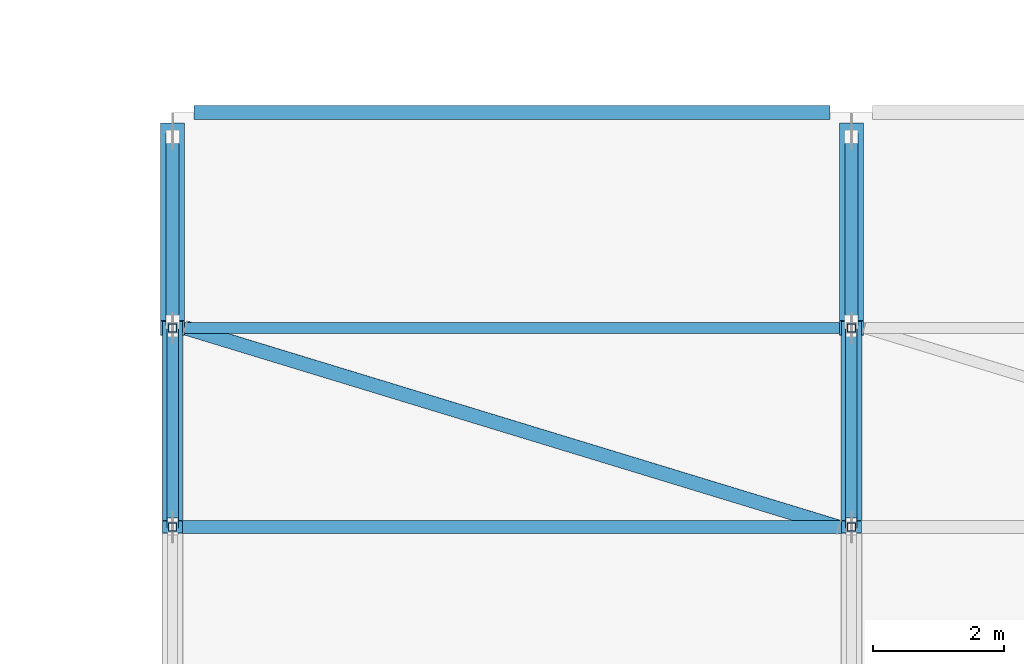
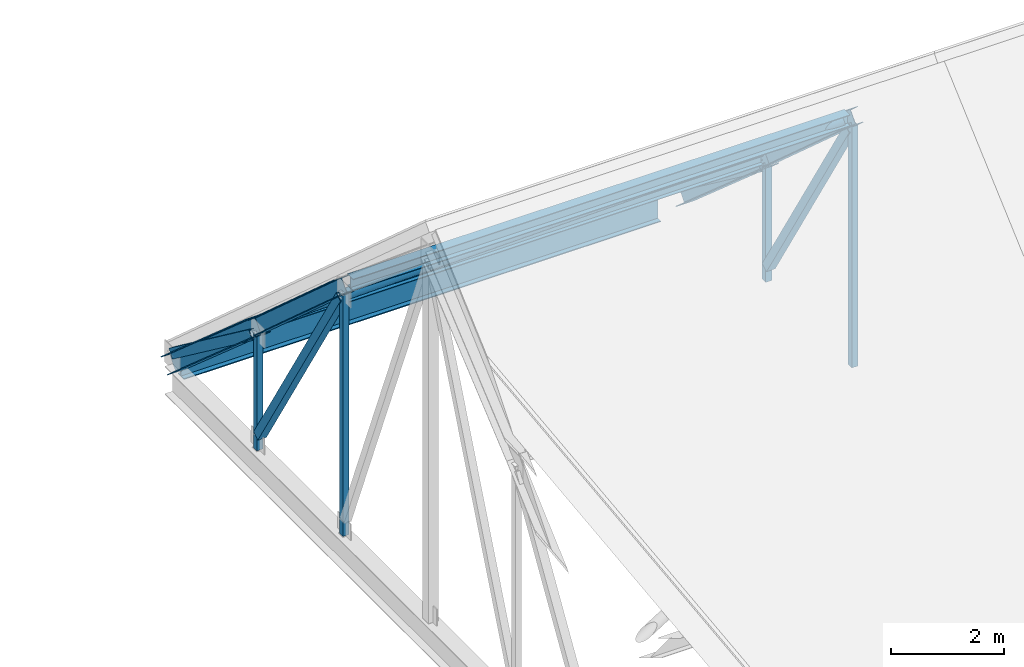
# One storey, part 16 of 86: 13 members, 3 beams.
"""IFC4 building model written with IfcOpenShell, lengths in metres."""

from ifc_helpers import new_model, si_unit, derived_unit, direction, frame, origin, origin_2d, place, context, subcontext, project, spatial, hollow_rectangle, hollow_circle, i_section, extrude, material, material_profile, profile_set, type_object, element, save


model = new_model("IFC4")

# Units and contexts
model_context = context("Model", 3, precision=1e-05, world=origin(), true_north=direction((0.0, 1.0)))
body_context = subcontext(model_context, "Body", "Model", "MODEL_VIEW")
ifc_project = project(units=[si_unit("LENGTHUNIT", "METRE"), si_unit("AREAUNIT", "SQUARE_METRE"), si_unit("VOLUMEUNIT", "CUBIC_METRE"), si_unit("PLANEANGLEUNIT", "RADIAN"), si_unit("MASSUNIT", "GRAM", prefix="KILO"), derived_unit("THERMALTRANSMITTANCEUNIT", [(si_unit("POWERUNIT", "WATT"), 1), (si_unit("LENGTHUNIT", "METRE"), -2), (si_unit("THERMODYNAMICTEMPERATUREUNIT", "KELVIN"), -1)])], contexts=[model_context])

# Site, building, storey
site_placement = place(None, origin())
site = spatial("IfcSite", under=ifc_project, at=site_placement, CompositionType="ELEMENT")
building_placement = place(site_placement, origin())
building = spatial("IfcBuilding", under=site, at=building_placement, Name="Braskholm Square Health Centre", CompositionType="ELEMENT")
storey_placement = place(building_placement, frame((0.0, 0.0, 13.5)))
storey = spatial("IfcBuildingStorey", under=building, at=storey_placement, Name="L04", CompositionType="ELEMENT", Elevation=13.5)

# Member
ifc_material_1 = material(Name="Steel ASTM A500 Grade C", Category="steel")
ifc_material_profile_1 = material_profile(ifc_material_1, hollow_circle(Radius=0.109619140625, WallThickness=0.0087890625, at=origin_2d()), Name="HSS8.625X0.375")
ifc_profile_set_1 = profile_set([ifc_material_profile_1], Name="Steel ASTM A500 Grade C")
member_type_1 = type_object("IfcMemberType", Name="RoofPlanBraceCHS219", PredefinedType="BRACE", material=ifc_profile_set_1)
member_1_placement = place(storey_placement, frame((47.800048828125, 103.699951171875, 2.402099609375), z_axis=(0.925704815743, -0.282344488845, 0.251698596995), x_axis=(0.291736758099, 0.956498648182, 0.0)))
element("IfcMember", 1, at=member_1_placement, inside=storey, type_object=member_type_1, Name="ROOF TRUSS slope brace North Bay 1", PredefinedType="BRACE", context=body_context, shape_type="SweptSolid", body=[
    extrude(hollow_circle(Radius=0.109619140625, WallThickness=0.0087890625, at=origin_2d()), origin(), (0.0, 0.0, 1.0), 10.802490234375),
])

# Beams
ifc_material_2 = material(Name="Steel ASTM A992 Grade 50", Category="steel")
ifc_material_profile_2 = material_profile(ifc_material_2, i_section(OverallWidth=0.201904296875, OverallDepth=0.2470703125, WebThickness=0.00732421875, FlangeThickness=0.010986328125, at=origin_2d()), Name="W10X33")
ifc_profile_set_2 = profile_set([ifc_material_profile_2], Name="Steel ASTM A992 Grade 50")
beam_type_1 = type_object("IfcBeamType", Name="RoofPurlinJoistW10X33", PredefinedType="JOIST", material=ifc_profile_set_2)
beam_1_placement = place(storey_placement, frame((47.719970703125, 100.64990234375, 5.12109375), z_axis=(1.0, 0.0, 0.0), x_axis=(0.0, 1.0, 0.0)))
element("IfcBeam", 2, at=beam_1_placement, inside=storey, type_object=beam_type_1, Name="ROOF TRUSS purlin joist 004", PredefinedType="JOIST", context=body_context, shape_type="SweptSolid", body=[
    extrude(i_section(OverallWidth=0.201904296875, OverallDepth=0.2470703125, WebThickness=0.00732421875, FlangeThickness=0.010986328125, at=origin_2d()), origin(), (0.0, 0.0, 1.0), 10.159912109375),
])
ifc_material_profile_3 = material_profile(ifc_material_2, i_section(OverallWidth=0.1650390625, OverallDepth=0.200927734375, WebThickness=0.006103515625, FlangeThickness=0.01025390625, at=origin_2d()), Name="W8X24")
ifc_profile_set_3 = profile_set([ifc_material_profile_3], Name="Steel ASTM A992 Grade 50")
beam_type_2 = type_object("IfcBeamType", Name="RoofPurlinJoistW8X24", PredefinedType="JOIST", material=ifc_profile_set_3)
beam_2_placement = place(storey_placement, frame((47.719970703125, 103.699951171875, 2.402099609375), z_axis=(1.0, 0.0, 0.0), x_axis=(0.0, 1.0, 0.0)))
element("IfcBeam", 3, at=beam_2_placement, inside=storey, type_object=beam_type_2, Name="ROOF TRUSS purlin joist 005", PredefinedType="JOIST", context=body_context, shape_type="SweptSolid", body=[
    extrude(i_section(OverallWidth=0.1650390625, OverallDepth=0.200927734375, WebThickness=0.006103515625, FlangeThickness=0.01025390625, at=origin_2d()), origin(), (0.0, 0.0, 1.0), 10.159912109375),
])
ifc_material_profile_4 = material_profile(ifc_material_2, i_section(OverallWidth=0.2119140625, OverallDepth=0.5439453125, WebThickness=0.01318359375, FlangeThickness=0.021240234375, at=origin_2d()), Name="W21X83")
ifc_profile_set_4 = profile_set([ifc_material_profile_4], Name="Steel ASTM A992 Grade 50")
beam_type_3 = type_object("IfcBeamType", Name="SteelGirderEaveW21X83", PredefinedType="BEAM", material=ifc_profile_set_4)
beam_3_placement = place(storey_placement, frame((47.925048828125, 107.0, -0.572021484375), z_axis=(1.0, 0.0, 0.0), x_axis=(0.0, 1.0, 0.0)))
element("IfcBeam", 4, at=beam_3_placement, inside=storey, type_object=beam_type_3, Name="Beam 8-9/R L04", PredefinedType="BEAM", context=body_context, shape_type="SweptSolid", body=[
    extrude(i_section(OverallWidth=0.2119140625, OverallDepth=0.5439453125, WebThickness=0.01318359375, FlangeThickness=0.021240234375, at=origin_2d()), origin(), (0.0, 0.0, 1.0), 9.75),
])

# Members
ifc_material_profile_5 = material_profile(ifc_material_2, i_section(OverallWidth=0.304931640625, OverallDepth=0.306884765625, WebThickness=0.010009765625, FlangeThickness=0.015380859375, at=origin_2d()), Name="W12X65")
ifc_profile_set_5 = profile_set([ifc_material_profile_5], Name="Steel ASTM A992 Grade 50")
member_type_2 = type_object("IfcMemberType", Name="TrussHipChordW12X65", PredefinedType="CHORD", material=ifc_profile_set_5)
for number, where, z_axis, x_axis, name in (
    (5, (47.60009765625, 100.64990234375, 5.101318359375), (0.0, 0.746426169494, -0.665468236278), (-1.0, 0.0, 0.0), "ROOF TRUSS top chord TR-01-5"),
    (6, (58.0, 100.64990234375, 5.101318359375), (0.0, 0.746426169494, -0.665468236278), (-1.0, 0.0, 0.0), "ROOF TRUSS top chord TR-02-5"),
):
    element("IfcMember", number, at=place(storey_placement, frame(where, z_axis=z_axis, x_axis=x_axis)), inside=storey, type_object=member_type_2, Name=name, PredefinedType="CHORD", context=body_context, shape_type="SweptSolid", body=[
        extrude(i_section(OverallWidth=0.304931640625, OverallDepth=0.306884765625, WebThickness=0.010009765625, FlangeThickness=0.015380859375, at=origin_2d()), origin(), (0.0, 0.0, 1.0), 4.086181640625),
    ])
ifc_material_profile_6 = material_profile(ifc_material_1, hollow_rectangle(XDim=0.177734375, YDim=0.177734375, WallThickness=0.0087890625, at=origin_2d()), Name="HSS7X7X3/8")
ifc_profile_set_6 = profile_set([ifc_material_profile_6], Name="Steel ASTM A500 Grade C")
member_type_3 = type_object("IfcMemberType", Name="TrussInnerDiagHSS7X7", PredefinedType="BRACE", material=ifc_profile_set_6)
for number, where, z_axis, x_axis, name in (
    (7, (47.60009765625, 103.636962890625, 0.06201171875), (0.0, -0.522065213128, 0.852905571117), (1.0, 0.0, 0.0), "ROOF TRUSS diagonal web TR-01-D5"),
    (8, (58.0, 103.636962890625, 0.06201171875), (0.0, -0.522065213128, 0.852905571117), (1.0, 0.0, 0.0), "ROOF TRUSS diagonal web TR-02-D5"),
):
    element("IfcMember", number, at=place(storey_placement, frame(where, z_axis=z_axis, x_axis=x_axis)), inside=storey, type_object=member_type_3, Name=name, PredefinedType="BRACE", context=body_context, shape_type="SweptSolid", body=[
        extrude(hollow_rectangle(XDim=0.177734375, YDim=0.177734375, WallThickness=0.0087890625, at=origin_2d()), origin(), (0.0, 0.0, 1.0), 5.60107421875),
    ])
ifc_material_profile_7 = material_profile(ifc_material_1, hollow_rectangle(XDim=0.203125, YDim=0.203125, WallThickness=0.01171875, at=origin_2d()), Name="HSS8X8X1/2")
ifc_profile_set_7 = profile_set([ifc_material_profile_7], Name="Steel ASTM A500 Grade C")
member_type_4 = type_object("IfcMemberType", Name="TrussOuterDiagHSS8X8X12", PredefinedType="BRACE", material=ifc_profile_set_7)
for number, where, z_axis, x_axis, name in (
    (9, (47.60009765625, 106.6240234375, 0.031982421875), (0.0, -0.800430964811, 0.599424949908), (1.0, 0.0, 0.0), "ROOF TRUSS diagonal web TR-01-D6"),
    (10, (58.0, 106.6240234375, 0.031982421875), (0.0, -0.800430964811, 0.599424949908), (1.0, 0.0, 0.0), "ROOF TRUSS diagonal web TR-02-D6"),
):
    element("IfcMember", number, at=place(storey_placement, frame(where, z_axis=z_axis, x_axis=x_axis)), inside=storey, type_object=member_type_4, Name=name, PredefinedType="BRACE", context=body_context, shape_type="SweptSolid", body=[
        extrude(hollow_rectangle(XDim=0.203125, YDim=0.203125, WallThickness=0.01171875, at=origin_2d()), origin(), (0.0, 0.0, 1.0), 3.533203125),
    ])
ifc_material_profile_8 = material_profile(ifc_material_2, i_section(OverallWidth=0.368896484375, OverallDepth=0.35595703125, WebThickness=0.01123046875, FlangeThickness=0.01806640625, at=origin_2d()), Name="W14X90")
ifc_profile_set_8 = profile_set([ifc_material_profile_8], Name="Steel ASTM A992 Grade 50")
member_type_5 = type_object("IfcMemberType", Name="TrussTopChordW14X90", PredefinedType="CHORD", material=ifc_profile_set_8)
for number, where, z_axis, x_axis, name in (
    (11, (47.60009765625, 103.699951171875, 2.382080078125), (0.0, 0.752629458895, -0.658444301064), (-1.0, 0.0, 0.0), "ROOF TRUSS top chord TR-01-6"),
    (12, (58.0, 103.699951171875, 2.382080078125), (0.0, 0.752629458895, -0.658444301064), (-1.0, 0.0, 0.0), "ROOF TRUSS top chord TR-02-6"),
):
    element("IfcMember", number, at=place(storey_placement, frame(where, z_axis=z_axis, x_axis=x_axis)), inside=storey, type_object=member_type_5, Name=name, PredefinedType="CHORD", context=body_context, shape_type="SweptSolid", body=[
        extrude(i_section(OverallWidth=0.368896484375, OverallDepth=0.35595703125, WebThickness=0.01123046875, FlangeThickness=0.01806640625, at=origin_2d()), origin(), (0.0, 0.0, 1.0), 4.0126953125),
    ])
ifc_material_profile_9 = material_profile(ifc_material_1, hollow_rectangle(XDim=0.126953125, YDim=0.126953125, WallThickness=0.00732421875, at=origin_2d()), Name="HSS5X5X5/16")
ifc_profile_set_9 = profile_set([ifc_material_profile_9], Name="Steel ASTM A500 Grade C")
member_type_6 = type_object("IfcMemberType", Name="TrussVerticalStrutHSS5X5", PredefinedType="STRUT", material=ifc_profile_set_9)
member_2_placement = place(storey_placement, frame((47.60009765625, 100.64990234375, -0.27001953125), z_axis=(0.0, 0.0, 1.0), x_axis=(1.0, 0.0, 0.0)))
element("IfcMember", 13, at=member_2_placement, inside=storey, type_object=member_type_6, Name="ROOF TRUSS vertical strut TR-01-V4", PredefinedType="STRUT", context=body_context, shape_type="SweptSolid", body=[
    extrude(hollow_rectangle(XDim=0.126953125, YDim=0.126953125, WallThickness=0.00732421875, at=origin_2d()), origin(), (0.0, 0.0, 1.0), 5.21142578125),
])
member_3_placement = place(storey_placement, frame((47.60009765625, 103.699951171875, -0.27001953125), z_axis=(0.0, 0.0, 1.0), x_axis=(1.0, 0.0, 0.0)))
element("IfcMember", 14, at=member_3_placement, inside=storey, type_object=member_type_6, Name="ROOF TRUSS vertical strut TR-01-V5", PredefinedType="STRUT", context=body_context, shape_type="SweptSolid", body=[
    extrude(hollow_rectangle(XDim=0.126953125, YDim=0.126953125, WallThickness=0.00732421875, at=origin_2d()), origin(), (0.0, 0.0, 1.0), 2.4921875),
])
member_4_placement = place(storey_placement, frame((58.0, 100.64990234375, -0.27001953125), z_axis=(0.0, 0.0, 1.0), x_axis=(1.0, 0.0, 0.0)))
element("IfcMember", 15, at=member_4_placement, inside=storey, type_object=member_type_6, Name="ROOF TRUSS vertical strut TR-02-V4", PredefinedType="STRUT", context=body_context, shape_type="SweptSolid", body=[
    extrude(hollow_rectangle(XDim=0.126953125, YDim=0.126953125, WallThickness=0.00732421875, at=origin_2d()), origin(), (0.0, 0.0, 1.0), 5.21142578125),
])
member_5_placement = place(storey_placement, frame((58.0, 103.699951171875, -0.27001953125), z_axis=(0.0, 0.0, 1.0), x_axis=(1.0, 0.0, 0.0)))
element("IfcMember", 16, at=member_5_placement, inside=storey, type_object=member_type_6, Name="ROOF TRUSS vertical strut TR-02-V5", PredefinedType="STRUT", context=body_context, shape_type="SweptSolid", body=[
    extrude(hollow_rectangle(XDim=0.126953125, YDim=0.126953125, WallThickness=0.00732421875, at=origin_2d()), origin(), (0.0, 0.0, 1.0), 2.4921875),
])

save(model, "model.ifc")
